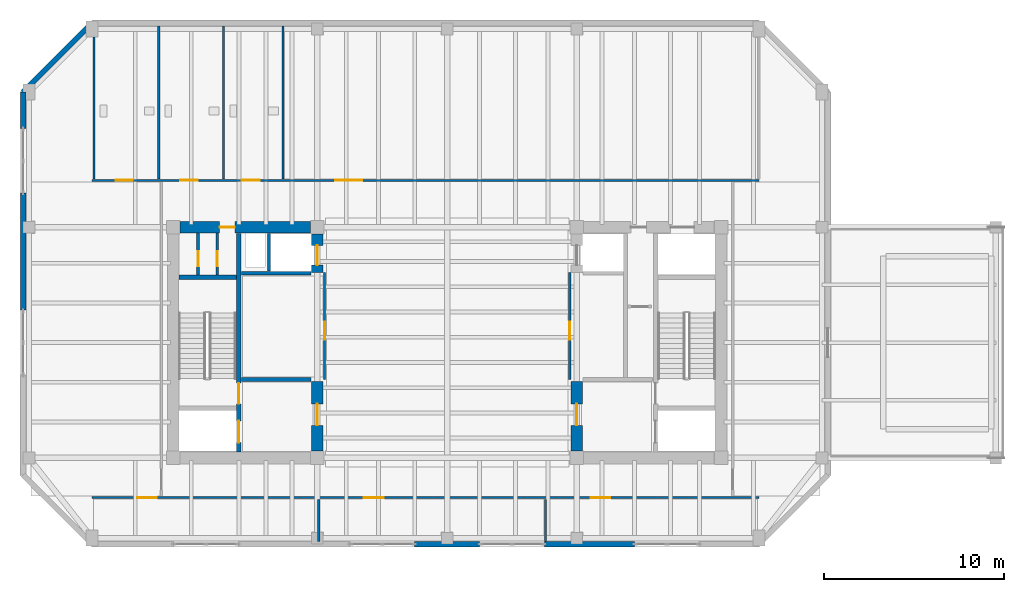
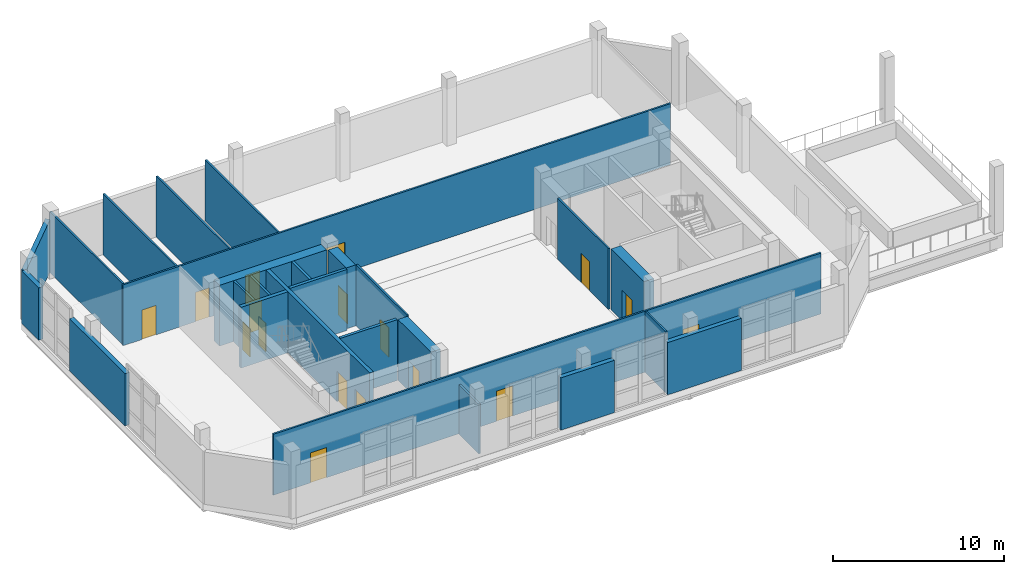
# One storey, part 6 of 11: 26 walls, 17 doors, 17 openings.
"""IFC4 building model written with IfcOpenShell, lengths in metres."""

import ifcopenshell
import ifcopenshell.guid

model = None  # the IFC model being written
_history = None  # IfcOwnerHistory: only IFC2X3 demands one
_inside = {}  # id of a spatial element -> (the spatial element, [elements in it])
_under = {}  # id of a project, library or spatial element -> (it, [spatial elements below it])
_declared = {}  # id of a project -> (the project, [libraries it declares])
_typed = {}  # id of a type object -> (the type object, [elements of that type])
_made_of = {}  # id of a material, layer set ... -> (it, [elements and type objects made of it])


def new_model(schema):
    """Start an empty IFC model of exactly this schema.

    Asked for "IFC4X3", IfcOpenShell would pick the latest addendum, in which some entities
    have other attributes; the version numbers below select the first issue.
    IFC2X3 requires an IfcOwnerHistory on every rooted entity: one is made here for all.
    """
    global model, _history
    if schema == "IFC4X3":
        model = ifcopenshell.file(schema_version=(4, 3, 0, 0))
    else:
        model = ifcopenshell.file(schema=schema)
    _inside.clear()
    _under.clear()
    _declared.clear()
    _typed.clear()
    _made_of.clear()
    _history = None
    if model.schema == "IFC2X3":
        org = make("IfcOrganization", Name="unknown")
        user = make(
            "IfcPersonAndOrganization",
            ThePerson=make("IfcPerson", FamilyName="unknown"),
            TheOrganization=org,
        )
        app = make(
            "IfcApplication",
            ApplicationDeveloper=org,
            Version="unknown",
            ApplicationFullName="unknown",
            ApplicationIdentifier="unknown",
        )
        _history = make(
            "IfcOwnerHistory",
            OwningUser=user,
            OwningApplication=app,
            ChangeAction="ADDED",
            CreationDate=0,
        )
    return model


def make(cls, **values):
    """One entity of the class cls with the attributes given. An attribute that is None is left unset."""
    return model.create_entity(
        cls, **{name: value for name, value in values.items() if value is not None}
    )


def rooted(cls, **values):
    """An entity with a GlobalId (a new one), such as an element, a storey or a relation."""
    return make(cls, GlobalId=ifcopenshell.guid.new(), OwnerHistory=_history, **values)


def si_unit(unit_type, name, prefix=None):
    """IfcSIUnit, for example si_unit("LENGTHUNIT", "METRE", prefix="MILLI")."""
    return make("IfcSIUnit", UnitType=unit_type, Prefix=prefix, Name=name)


def assignment(units):
    """IfcUnitAssignment: the units of a project."""
    return None if units is None else make("IfcUnitAssignment", Units=units)


def point(xyz):
    """IfcCartesianPoint."""
    return None if xyz is None else make("IfcCartesianPoint", Coordinates=xyz)


def direction(xyz):
    """IfcDirection."""
    return None if xyz is None else make("IfcDirection", DirectionRatios=xyz)


def frame(location, z_axis=None, x_axis=None):
    """IfcAxis2Placement3D, a coordinate frame: its origin and axes. An axis left out is left unset."""
    return make(
        "IfcAxis2Placement3D",
        Location=point(location),
        Axis=direction(z_axis),
        RefDirection=direction(x_axis),
    )


def frame_2d(location, x_axis=None):
    """IfcAxis2Placement2D, a coordinate frame in the plane: its origin and x axis."""
    return make(
        "IfcAxis2Placement2D", Location=point(location), RefDirection=direction(x_axis)
    )


def origin():
    """The frame at (0, 0, 0) with its axes left unset."""
    return frame((0.0, 0.0, 0.0))


def place(relative_to, where):
    """IfcLocalPlacement: puts the frame where relative to a parent placement (None: the world)."""
    return make(
        "IfcLocalPlacement", PlacementRelTo=relative_to, RelativePlacement=where
    )


def context(
    kind, dimensions, precision=None, world=None, true_north=None, identifier=None
):
    """IfcGeometricRepresentationContext, for example the 3D "Model" context."""
    return make(
        "IfcGeometricRepresentationContext",
        ContextIdentifier=identifier,
        ContextType=kind,
        CoordinateSpaceDimension=dimensions,
        Precision=precision,
        WorldCoordinateSystem=world,
        TrueNorth=true_north,
    )


def subcontext(parent, identifier, kind, view, scale=None):
    """IfcGeometricRepresentationSubContext, for example "Body" below "Model"."""
    return make(
        "IfcGeometricRepresentationSubContext",
        ContextIdentifier=identifier,
        ContextType=kind,
        ParentContext=parent,
        TargetScale=scale,
        TargetView=view,
    )


def project(units=None, contexts=None):
    """IfcProject with its units and contexts."""
    return rooted(
        "IfcProject",
        Name="project",
        RepresentationContexts=contexts,
        UnitsInContext=assignment(units),
    )


def spatial(cls, under=None, at=None, **own):
    """A site, building, storey or space (cls), placed at a placement, below another one or the project."""
    s = rooted(cls, ObjectPlacement=at, **own)
    if under is not None:
        _under.setdefault(under.id(), (under, []))[1].append(s)
    return s


def profile(cls, at=None, kind="AREA", **sizes):
    """A parametric profile (cls). Its sizes go by their IFC names, for example OverallWidth=200.0."""
    return make(cls, ProfileType=kind, Position=at, **sizes)


def rectangle(**sizes):
    """IfcRectangleProfileDef."""
    return profile("IfcRectangleProfileDef", **sizes)


def extrude(swept, where, along, depth):
    """IfcExtrudedAreaSolid: the profile swept, set in the frame where, extruded along a direction by depth."""
    return make(
        "IfcExtrudedAreaSolid",
        SweptArea=swept,
        Position=where,
        ExtrudedDirection=direction(along),
        Depth=depth,
    )


def shape(context_of_items, identifier, shape_type, items):
    """IfcShapeRepresentation: the items that make up one representation, for example the "Body"."""
    return make(
        "IfcShapeRepresentation",
        ContextOfItems=context_of_items,
        RepresentationIdentifier=identifier,
        RepresentationType=shape_type,
        Items=items,
    )


def material(Name=None, Category=None):
    """IfcMaterial."""
    return make("IfcMaterial", Name=Name, Category=Category)


def layer(
    of_material, thickness, ventilated=None, Name=None, Category=None, Priority=None
):
    """IfcMaterialLayer: one layer of a wall or slab, of a material (None: an air gap)."""
    return make(
        "IfcMaterialLayer",
        Material=of_material,
        LayerThickness=thickness,
        IsVentilated=ventilated,
        Name=Name,
        Category=Category,
        Priority=Priority,
    )


def layer_set(layers, Name=None):
    """IfcMaterialLayerSet."""
    return make("IfcMaterialLayerSet", MaterialLayers=layers, LayerSetName=Name)


def made_of(thing, what):
    """Note that an element or type object is made of a material, layer set ...; save() writes the relation."""
    if what is not None:
        _made_of.setdefault(what.id(), (what, []))[1].append(thing)
    return thing


def type_object(cls, material=None, **own):
    """A type object (cls), such as IfcWallType, which elements share."""
    return made_of(rooted(cls, **own), material)


def element(
    cls,
    number,
    at=None,
    inside=None,
    cuts=None,
    type_object=None,
    material=None,
    context=None,
    identifier="Body",
    shape_type=None,
    held_by="IfcProductDefinitionShape",
    body=None,
    shapes=None,
    **own,
):
    """One element of the class cls, such as IfcWall. Its Tag is "e" and its number.

    at: its placement. inside: the storey or other place that contains it. cuts: it is an
    opening in that element (IfcRelVoidsElement). A single representation is given by context,
    identifier, shape_type and body (its items); several are given by shapes. held_by: the class
    of the entity that holds the representations. save() writes the other relations.
    """
    e = rooted(cls, Tag="e%d" % number, ObjectPlacement=at, **own)
    if body is not None:
        shapes = [shape(context, identifier, shape_type, body)]
    if shapes is not None:
        e.Representation = make(held_by, Representations=shapes)
    if inside is not None:
        _inside.setdefault(inside.id(), (inside, []))[1].append(e)
    if cuts is not None:
        rooted(
            "IfcRelVoidsElement", RelatingBuildingElement=cuts, RelatedOpeningElement=e
        )
    if type_object is not None:
        _typed.setdefault(type_object.id(), (type_object, []))[1].append(e)
    return made_of(e, material)


def fill(opening, filler):
    """IfcRelFillsElement: the door or window that sits in an opening."""
    return rooted(
        "IfcRelFillsElement",
        RelatingOpeningElement=opening,
        RelatedBuildingElement=filler,
    )


def aggregate(whole, parts):
    """IfcRelAggregates: a whole, such as a stair, and the parts it consists of."""
    return rooted("IfcRelAggregates", RelatingObject=whole, RelatedObjects=parts)


def save(model, path):
    """Write the relations noted so far, then the file.

    IfcRelAggregates (storeys below a building ...), IfcRelContainedInSpatialStructure (elements
    in a storey), IfcRelDefinesByType, IfcRelAssociatesMaterial and IfcRelDeclares: one each for
    every whole, place, type object, material and project.
    """
    for whole, parts in _under.values():
        aggregate(whole, parts)
    for where, things in _inside.values():
        rooted(
            "IfcRelContainedInSpatialStructure",
            RelatedElements=things,
            RelatingStructure=where,
        )
    for kind, things in _typed.values():
        rooted("IfcRelDefinesByType", RelatedObjects=things, RelatingType=kind)
    for what, things in _made_of.values():
        rooted("IfcRelAssociatesMaterial", RelatedObjects=things, RelatingMaterial=what)
    for by, libraries in _declared.values():
        rooted("IfcRelDeclares", RelatingContext=by, RelatedDefinitions=libraries)
    model.write(path)


model = new_model("IFC4")

# Units and contexts
model_context = context("Model", 3, precision=1e-05, world=origin(), true_north=direction((0.0, 1.0)))
body_context = subcontext(model_context, "Body", "Model", "MODEL_VIEW")
ifc_project = project(units=[si_unit("LENGTHUNIT", "METRE"), si_unit("AREAUNIT", "SQUARE_METRE"), si_unit("VOLUMEUNIT", "CUBIC_METRE"), si_unit("PLANEANGLEUNIT", "RADIAN"), si_unit("MASSUNIT", "GRAM", prefix="KILO")], contexts=[model_context])

# Site, building, storey
site_placement = place(None, origin())
site = spatial("IfcSite", under=ifc_project, at=site_placement, CompositionType="ELEMENT")
building_placement = place(site_placement, origin())
building = spatial("IfcBuilding", under=site, at=building_placement, Name="Kranthara Brick Stack", CompositionType="ELEMENT")
storey_placement = place(building_placement, frame((0.0, 0.0, 287.39990234375)))
storey = spatial("IfcBuildingStorey", under=building, at=storey_placement, Name="L76", CompositionType="ELEMENT", Elevation=287.39990234375)

# Walls
ifc_material_1 = material(Name="Precast concrete C45/55", Category="concrete")
ifc_layer_1 = layer(ifc_material_1, 0.300048828125)
ifc_layer_set_1 = layer_set([ifc_layer_1], Name="Precast concrete C45/55")
wall_type_1 = type_object("IfcWallType", Name="WL-BRK-CRWN-300", PredefinedType="STANDARD", material=ifc_layer_set_1)
wall_1_placement = place(storey_placement, frame((38.387939453125, 16.02001953125, 0.0), z_axis=(0.0, 0.0, 1.0), x_axis=(-1.0, 0.0, 0.0)))
element("IfcWall", 1, at=wall_1_placement, inside=storey, type_object=wall_type_1, Name="L76 Exterior Brick Facade Wall SOUTH 2", PredefinedType="STANDARD", context=body_context, shape_type="SweptSolid", body=[
    extrude(rectangle(XDim=4.988037109375, YDim=0.300048828125, at=frame_2d((2.494140625, 0.0))), origin(), (0.0, 0.0, 1.0), 3.735107421875),
])
wall_2_placement = place(storey_placement, frame((29.800048828125, 16.02001953125, 0.0), z_axis=(0.0, 0.0, 1.0), x_axis=(-1.0, 0.0, 0.0)))
element("IfcWall", 2, at=wall_2_placement, inside=storey, type_object=wall_type_1, Name="L76 Exterior Brick Facade Wall SOUTH 3", PredefinedType="STANDARD", context=body_context, shape_type="SweptSolid", body=[
    extrude(rectangle(XDim=3.60009765625, YDim=0.300048828125, at=frame_2d((1.800048828125, 0.0))), origin(), (0.0, 0.0, 1.0), 3.735107421875),
])
wall_3_placement = place(storey_placement, frame((4.469970703125, 29.0, 0.0), z_axis=(0.0, 0.0, 1.0), x_axis=(0.0, 1.0, 0.0)))
element("IfcWall", 3, at=wall_3_placement, inside=storey, type_object=wall_type_1, Name="L76 Exterior Brick Facade Wall WEST 2", PredefinedType="STANDARD", context=body_context, shape_type="SweptSolid", body=[
    extrude(rectangle(XDim=6.487060546875, YDim=0.300048828125, at=frame_2d((3.24365234375, 0.0))), origin(), (0.0, 0.0, 1.0), 3.735107421875),
])
wall_4_placement = place(storey_placement, frame((4.469970703125, 39.087890625, 0.0), z_axis=(0.0, 0.0, 1.0), x_axis=(0.0, 1.0, 0.0)))
element("IfcWall", 4, at=wall_4_placement, inside=storey, type_object=wall_type_1, Name="L76 Exterior Brick Facade Wall WEST 3", PredefinedType="STANDARD", context=body_context, shape_type="SweptSolid", body=[
    extrude(rectangle(XDim=2.01220703125, YDim=0.300048828125, at=frame_2d((1.006103515625, 0.0))), origin(), (0.0, 0.0, 1.0), 3.735107421875),
])
wall_5_placement = place(storey_placement, frame((4.469970703125, 41.10009765625, 0.0), z_axis=(0.0, 0.0, 1.0), x_axis=(0.707129318095, 0.707084243559, 0.0)))
element("IfcWall", 5, at=wall_5_placement, inside=storey, type_object=wall_type_1, Name="L76 Exterior Brick Facade Wall NW 1", PredefinedType="STANDARD", context=body_context, shape_type="SweptSolid", body=[
    extrude(rectangle(XDim=5.416259765625, YDim=0.300048828125, at=frame_2d((2.7080078125, 0.0))), origin(), (0.0, 0.0, 1.0), 3.735107421875),
])

# Wall, openings, doors
ifc_material_2 = material(Name="Concrete C50/60", Category="concrete")
ifc_layer_2 = layer(ifc_material_2, 0.25)
ifc_layer_set_2 = layer_set([ifc_layer_2], Name="Concrete C50/60")
wall_type_2 = type_object("IfcWallType", Name="WL-CORE-250", PredefinedType="SHEAR", material=ifc_layer_set_2)
wall_6_placement = place(storey_placement, frame((16.43505859375, 21.135009765625, 0.0), z_axis=(0.0, 0.0, 1.0), x_axis=(0.0, 1.0, 0.0)))
wall_6 = element("IfcWall", 6, at=wall_6_placement, inside=storey, type_object=wall_type_2, Name="L76 West Core Stair Bearing Spine Wall", PredefinedType="SHEAR", context=body_context, shape_type="SweptSolid", body=[
    extrude(rectangle(XDim=12.1298828125, YDim=0.25, at=frame_2d((6.06494140625, 0.0))), origin(), (0.0, 0.0, 1.0), 4.35009765625),
])
opening_1_placement = place(wall_6_placement, frame((0.514892578125, 0.0, 0.0)))
opening_1 = element("IfcOpeningElement", 7, at=opening_1_placement, cuts=wall_6, Name="Opening LD01", PredefinedType="OPENING", context=body_context, shape_type="SweptSolid", body=[
    extrude(rectangle(XDim=1.199951171875, YDim=2.14990234375, at=frame_2d((0.60009765625, 1.074951171875))), frame((0.0, 0.135009765625, 0.0), z_axis=(0.0, -1.0, 0.0), x_axis=(1.0, 0.0, 0.0)), (0.0, 0.0, 1.0), 0.27001953125),
])
opening_2_placement = place(wall_6_placement, frame((2.6650390625, 0.0, 0.0)))
opening_2 = element("IfcOpeningElement", 8, at=opening_2_placement, cuts=wall_6, Name="Opening D05", PredefinedType="OPENING", context=body_context, shape_type="SweptSolid", body=[
    extrude(rectangle(XDim=1.14990234375, YDim=2.14990234375, at=frame_2d((0.574951171875, 1.074951171875))), frame((0.0, 0.135009765625, 0.0), z_axis=(0.0, -1.0, 0.0), x_axis=(1.0, 0.0, 0.0)), (0.0, 0.0, 1.0), 0.27001953125),
])
ifc_material_3 = material(Name="Stainless steel sliding landing door", Category="steel")
door_type_1 = type_object("IfcDoorType", Name="DR-LD-FF1200", OperationType="DOUBLE_DOOR_SLIDING", PredefinedType="DOOR", material=ifc_material_3)
door_1_placement = place(opening_1_placement, origin())
door_1 = element("IfcDoor", 9, at=door_1_placement, inside=storey, type_object=door_type_1, Name="L76 Firefighting Lift FF-01 Landing Door", OperationType="DOUBLE_DOOR_SLIDING", OverallHeight=2.14990234375, OverallWidth=1.199951171875, PredefinedType="DOOR", context=body_context, shape_type="SweptSolid", body=[
    extrude(rectangle(XDim=1.199951171875, YDim=2.14990234375, at=frame_2d((0.60009765625, 1.074951171875))), frame((0.0, 0.02490234375, 0.0), z_axis=(0.0, -1.0, 0.0), x_axis=(1.0, 0.0, 0.0)), (0.0, 0.0, 1.0), 0.050048828125),
])
fill(opening_1, door_1)
ifc_material_4 = material(Name="Solid-core hardwood timber leaf in steel frame", Category="steel")
door_type_2 = type_object("IfcDoorType", Name="DR-ST-1150", OperationType="NOTDEFINED", PredefinedType="DOOR", material=ifc_material_4)
door_2_placement = place(opening_2_placement, origin())
door_2 = element("IfcDoor", 10, at=door_2_placement, inside=storey, type_object=door_type_2, Name="L76 Exit Stair ST01 Door", OperationType="SINGLE_SWING_RIGHT", OverallHeight=2.14990234375, OverallWidth=1.14990234375, PredefinedType="DOOR", context=body_context, shape_type="SweptSolid", body=[
    extrude(rectangle(XDim=1.14990234375, YDim=2.14990234375, at=frame_2d((0.574951171875, 1.074951171875))), frame((0.0, 0.02490234375, 0.0), z_axis=(0.0, -1.0, 0.0), x_axis=(1.0, 0.0, 0.0)), (0.0, 0.0, 1.0), 0.050048828125),
])
fill(opening_2, door_2)

# Wall
wall_7_placement = place(storey_placement, frame((13.135009765625, 30.830078125, 0.0), z_axis=(0.0, 0.0, 1.0), x_axis=(1.0, 0.0, 0.0)))
element("IfcWall", 11, at=wall_7_placement, inside=storey, type_object=wall_type_2, Name="L76 West Stairwell Bearing Wall WST", PredefinedType="SHEAR", context=body_context, shape_type="SweptSolid", body=[
    extrude(rectangle(XDim=3.175048828125, YDim=0.25, at=frame_2d((1.58740234375, 0.0))), origin(), (0.0, 0.0, 1.0), 4.35009765625),
])

# Wall, opening, door
ifc_material_5 = material(Name="Concrete C60/75", Category="concrete")
ifc_layer_3 = layer(ifc_material_5, 0.64990234375)
ifc_layer_set_3 = layer_set([ifc_layer_3], Name="Concrete C60/75")
wall_type_3 = type_object("IfcWallType", Name="WL-CORE-650", PredefinedType="SHEAR", material=ifc_layer_set_3)
wall_8_placement = place(storey_placement, frame((13.179931640625, 33.60009765625, 0.0), z_axis=(0.0, 0.0, 1.0), x_axis=(1.0, 0.0, 0.0)))
wall_8 = element("IfcWall", 12, at=wall_8_placement, inside=storey, type_object=wall_type_3, Name="L76 West Core Shear Wall North", PredefinedType="SHEAR", context=body_context, shape_type="SweptSolid", body=[
    extrude(rectangle(XDim=7.239990234375, YDim=0.64990234375, at=frame_2d((3.6201171875, 0.0))), origin(), (0.0, 0.0, 1.0), 4.35009765625),
])
opening_3_placement = place(wall_8_placement, frame((2.18994140625, 0.0, 0.0)))
opening_3 = element("IfcOpeningElement", 13, at=opening_3_placement, cuts=wall_8, Name="Opening D10", PredefinedType="OPENING", context=body_context, shape_type="SweptSolid", body=[
    extrude(rectangle(XDim=0.85009765625, YDim=2.02001953125, at=frame_2d((0.425048828125, 1.010009765625))), frame((0.0, 0.3349609375, 0.0), z_axis=(0.0, -1.0, 0.0), x_axis=(1.0, 0.0, 0.0)), (0.0, 0.0, 1.0), 0.669921875),
])
ifc_material_6 = material(Name="Solid-core hardwood timber leaf in steel frame", Category="steel")
door_type_3 = type_object("IfcDoorType", Name="DR-RSR-850", OperationType="NOTDEFINED", PredefinedType="DOOR", material=ifc_material_6)
door_3_placement = place(opening_3_placement, origin())
door_3 = element("IfcDoor", 14, at=door_3_placement, inside=storey, type_object=door_type_3, Name="L76 West Core Service Door 1", OperationType="SINGLE_SWING_RIGHT", OverallHeight=2.02001953125, OverallWidth=0.85009765625, PredefinedType="DOOR", context=body_context, shape_type="SweptSolid", body=[
    extrude(rectangle(XDim=0.85009765625, YDim=2.02001953125, at=frame_2d((0.425048828125, 1.010009765625))), frame((0.0, 0.02490234375, 0.0), z_axis=(0.0, -1.0, 0.0), x_axis=(1.0, 0.0, 0.0)), (0.0, 0.0, 1.0), 0.050048828125),
])
fill(opening_3, door_3)

wall_9_placement = place(storey_placement, frame((20.800048828125, 21.179931640625, 0.0), z_axis=(0.0, 0.0, 1.0), x_axis=(0.0, 1.0, 0.0)))
wall_9 = element("IfcWall", 15, at=wall_9_placement, inside=storey, type_object=wall_type_3, Name="L76 West Core Lobby Shear Wall", PredefinedType="SHEAR", context=body_context, shape_type="SweptSolid", body=[
    extrude(rectangle(XDim=3.8701171875, YDim=0.64990234375, at=frame_2d((1.93505859375, 0.0))), origin(), (0.0, 0.0, 1.0), 4.35009765625),
])
opening_4_placement = place(wall_9_placement, frame((1.419921875, 0.0, 0.0)))
opening_4 = element("IfcOpeningElement", 16, at=opening_4_placement, cuts=wall_9, Name="Opening D06", PredefinedType="OPENING", context=body_context, shape_type="SweptSolid", body=[
    extrude(rectangle(XDim=1.199951171875, YDim=2.14990234375, at=frame_2d((0.60009765625, 1.074951171875))), frame((0.0, 0.3349609375, 0.0), z_axis=(0.0, -1.0, 0.0), x_axis=(1.0, 0.0, 0.0)), (0.0, 0.0, 1.0), 0.669921875),
])
ifc_material_7 = material(Name="Solid-core hardwood timber leaf in steel frame", Category="steel")
door_type_4 = type_object("IfcDoorType", Name="DR-FFL-1200", OperationType="NOTDEFINED", PredefinedType="DOOR", material=ifc_material_7)
door_4_placement = place(opening_4_placement, origin())
door_4 = element("IfcDoor", 17, at=door_4_placement, inside=storey, type_object=door_type_4, Name="L76 West Firefighting Lobby Door", OperationType="SINGLE_SWING_LEFT", OverallHeight=2.14990234375, OverallWidth=1.199951171875, PredefinedType="DOOR", context=body_context, shape_type="SweptSolid", body=[
    extrude(rectangle(XDim=1.199951171875, YDim=2.14990234375, at=frame_2d((0.60009765625, 1.074951171875))), frame((0.0, 0.02490234375, 0.0), z_axis=(0.0, -1.0, 0.0), x_axis=(1.0, 0.0, 0.0)), (0.0, 0.0, 1.0), 0.050048828125),
])
fill(opening_4, door_4)

wall_10_placement = place(storey_placement, frame((20.800048828125, 31.10009765625, 0.0), z_axis=(0.0, 0.0, 1.0), x_axis=(0.0, 1.0, 0.0)))
wall_10 = element("IfcWall", 18, at=wall_10_placement, inside=storey, type_object=wall_type_3, Name="L76 West Core High-Rise Lift Wall", PredefinedType="SHEAR", context=body_context, shape_type="SweptSolid", body=[
    extrude(rectangle(XDim=2.119873046875, YDim=0.64990234375, at=frame_2d((1.06005859375, 0.0))), origin(), (0.0, 0.0, 1.0), 4.35009765625),
])
opening_5_placement = place(wall_10_placement, frame((0.39990234375, 0.0, 0.0)))
opening_5 = element("IfcOpeningElement", 19, at=opening_5_placement, cuts=wall_10, Name="Opening LD02", PredefinedType="OPENING", context=body_context, shape_type="SweptSolid", body=[
    extrude(rectangle(XDim=1.10009765625, YDim=2.10009765625, at=frame_2d((0.550048828125, 1.050048828125))), frame((0.0, 0.3349609375, 0.0), z_axis=(0.0, -1.0, 0.0), x_axis=(1.0, 0.0, 0.0)), (0.0, 0.0, 1.0), 0.669921875),
])
ifc_material_8 = material(Name="Stainless steel sliding landing door", Category="steel")
door_type_5 = type_object("IfcDoorType", Name="DR-LD-PL1100", OperationType="DOUBLE_DOOR_SLIDING", PredefinedType="DOOR", material=ifc_material_8)
door_5_placement = place(opening_5_placement, origin())
door_5 = element("IfcDoor", 20, at=door_5_placement, inside=storey, type_object=door_type_5, Name="L76 PL-07 Lift Landing Door", OperationType="DOUBLE_DOOR_SLIDING", OverallHeight=2.10009765625, OverallWidth=1.10009765625, PredefinedType="DOOR", context=body_context, shape_type="SweptSolid", body=[
    extrude(rectangle(XDim=1.10009765625, YDim=2.10009765625, at=frame_2d((0.550048828125, 1.050048828125))), frame((0.0, 0.02490234375, 0.0), z_axis=(0.0, -1.0, 0.0), x_axis=(1.0, 0.0, 0.0)), (0.0, 0.0, 1.0), 0.050048828125),
])
fill(opening_5, door_5)

wall_11_placement = place(storey_placement, frame((35.199951171875, 21.179931640625, 0.0), z_axis=(0.0, 0.0, 1.0), x_axis=(0.0, 1.0, 0.0)))
wall_11 = element("IfcWall", 21, at=wall_11_placement, inside=storey, type_object=wall_type_3, Name="L76 East Core Lobby Shear Wall", PredefinedType="SHEAR", context=body_context, shape_type="SweptSolid", body=[
    extrude(rectangle(XDim=3.8701171875, YDim=0.64990234375, at=frame_2d((1.93505859375, 0.0))), origin(), (0.0, 0.0, 1.0), 4.35009765625),
])
opening_6_placement = place(wall_11_placement, frame((1.419921875, 0.0, 0.0)))
opening_6 = element("IfcOpeningElement", 22, at=opening_6_placement, cuts=wall_11, Name="Opening D06", PredefinedType="OPENING", context=body_context, shape_type="SweptSolid", body=[
    extrude(rectangle(XDim=1.199951171875, YDim=2.14990234375, at=frame_2d((0.60009765625, 1.074951171875))), frame((0.0, 0.3349609375, 0.0), z_axis=(0.0, -1.0, 0.0), x_axis=(1.0, 0.0, 0.0)), (0.0, 0.0, 1.0), 0.669921875),
])
door_6_placement = place(opening_6_placement, origin())
door_6 = element("IfcDoor", 23, at=door_6_placement, inside=storey, type_object=door_type_4, Name="L76 East Firefighting Lobby Door", OperationType="SINGLE_SWING_RIGHT", OverallHeight=2.14990234375, OverallWidth=1.199951171875, PredefinedType="DOOR", context=body_context, shape_type="SweptSolid", body=[
    extrude(rectangle(XDim=1.199951171875, YDim=2.14990234375, at=frame_2d((0.60009765625, 1.074951171875))), frame((0.0, 0.02490234375, 0.0), z_axis=(0.0, -1.0, 0.0), x_axis=(1.0, 0.0, 0.0)), (0.0, 0.0, 1.0), 0.050048828125),
])
fill(opening_6, door_6)

ifc_material_9 = material(Name="Acoustic gypsum plasterboard partition", Category="other")
ifc_layer_4 = layer(ifc_material_9, 0.1201171875)
ifc_layer_set_4 = layer_set([ifc_layer_4], Name="Acoustic gypsum plasterboard partition")
wall_type_4 = type_object("IfcWallType", Name="WL-PART-120", PredefinedType="PARTITIONING", material=ifc_layer_set_4)
wall_12_placement = place(storey_placement, frame((21.199951171875, 25.14990234375, 0.0), z_axis=(0.0, 0.0, 1.0), x_axis=(0.0, 1.0, 0.0)))
wall_12 = element("IfcWall", 24, at=wall_12_placement, inside=storey, type_object=wall_type_4, Name="L76 Interior Partition 004", PredefinedType="PARTITIONING", context=body_context, shape_type="SweptSolid", body=[
    extrude(rectangle(XDim=5.9501953125, YDim=0.1201171875, at=frame_2d((2.97509765625, 0.0))), origin(), (0.0, 0.0, 1.0), 4.35009765625),
])
opening_7_placement = place(wall_12_placement, frame((2.199951171875, 0.0, 0.0)))
opening_7 = element("IfcOpeningElement", 25, at=opening_7_placement, cuts=wall_12, Name="Opening D13", PredefinedType="OPENING", context=body_context, shape_type="SweptSolid", body=[
    extrude(rectangle(XDim=1.0, YDim=2.10009765625, at=frame_2d((0.5, 1.050048828125))), frame((0.0, 0.070068359375, 0.0), z_axis=(0.0, -1.0, 0.0), x_axis=(1.0, 0.0, 0.0)), (0.0, 0.0, 1.0), 0.14013671875),
])
ifc_material_10 = material(Name="Solid-core hardwood timber leaf in steel frame", Category="steel")
door_type_6 = type_object("IfcDoorType", Name="DR-INT-1000", OperationType="NOTDEFINED", PredefinedType="DOOR", material=ifc_material_10)
door_7_placement = place(opening_7_placement, origin())
door_7 = element("IfcDoor", 26, at=door_7_placement, inside=storey, type_object=door_type_6, Name="L76 Wellness Spa Door 04", OperationType="SINGLE_SWING_RIGHT", OverallHeight=2.10009765625, OverallWidth=1.0, PredefinedType="DOOR", context=body_context, shape_type="SweptSolid", body=[
    extrude(rectangle(XDim=1.0, YDim=2.10009765625, at=frame_2d((0.5, 1.050048828125))), frame((0.0, 0.02490234375, 0.0), z_axis=(0.0, -1.0, 0.0), x_axis=(1.0, 0.0, 0.0)), (0.0, 0.0, 1.0), 0.050048828125),
])
fill(opening_7, door_7)

wall_13_placement = place(storey_placement, frame((34.800048828125, 25.14990234375, 0.0), z_axis=(0.0, 0.0, 1.0), x_axis=(0.0, 1.0, 0.0)))
wall_13 = element("IfcWall", 27, at=wall_13_placement, inside=storey, type_object=wall_type_4, Name="L76 Interior Partition 005", PredefinedType="PARTITIONING", context=body_context, shape_type="SweptSolid", body=[
    extrude(rectangle(XDim=5.9501953125, YDim=0.1201171875, at=frame_2d((2.97509765625, 0.0))), origin(), (0.0, 0.0, 1.0), 4.35009765625),
])
opening_8_placement = place(wall_13_placement, frame((2.199951171875, 0.0, 0.0)))
opening_8 = element("IfcOpeningElement", 28, at=opening_8_placement, cuts=wall_13, Name="Opening D13", PredefinedType="OPENING", context=body_context, shape_type="SweptSolid", body=[
    extrude(rectangle(XDim=1.0, YDim=2.10009765625, at=frame_2d((0.5, 1.050048828125))), frame((0.0, 0.070068359375, 0.0), z_axis=(0.0, -1.0, 0.0), x_axis=(1.0, 0.0, 0.0)), (0.0, 0.0, 1.0), 0.14013671875),
])
door_8_placement = place(opening_8_placement, origin())
door_8 = element("IfcDoor", 29, at=door_8_placement, inside=storey, type_object=door_type_6, Name="L76 Changing Lounge Door 05", OperationType="SINGLE_SWING_LEFT", OverallHeight=2.10009765625, OverallWidth=1.0, PredefinedType="DOOR", context=body_context, shape_type="SweptSolid", body=[
    extrude(rectangle(XDim=1.0, YDim=2.10009765625, at=frame_2d((0.5, 1.050048828125))), frame((0.0, 0.02490234375, 0.0), z_axis=(0.0, -1.0, 0.0), x_axis=(1.0, 0.0, 0.0)), (0.0, 0.0, 1.0), 0.050048828125),
])
fill(opening_8, door_8)

# Wall, openings, doors
wall_14_placement = place(storey_placement, frame((8.300048828125, 18.60009765625, 0.0), z_axis=(0.0, 0.0, 1.0), x_axis=(1.0, 0.0, 0.0)))
wall_14 = element("IfcWall", 30, at=wall_14_placement, inside=storey, type_object=wall_type_4, Name="L76 Interior Partition 006", PredefinedType="PARTITIONING", context=body_context, shape_type="SweptSolid", body=[
    extrude(rectangle(XDim=37.0, YDim=0.1201171875, at=frame_2d((18.5, 0.0))), origin(), (0.0, 0.0, 1.0), 4.35009765625),
])
opening_9_placement = place(wall_14_placement, frame((2.5, 0.0, 0.0)))
opening_9 = element("IfcOpeningElement", 31, at=opening_9_placement, cuts=wall_14, Name="Opening D11", PredefinedType="OPENING", context=body_context, shape_type="SweptSolid", body=[
    extrude(rectangle(XDim=1.10009765625, YDim=2.14990234375, at=frame_2d((0.550048828125, 1.074951171875))), frame((0.0, 0.070068359375, 0.0), z_axis=(0.0, -1.0, 0.0), x_axis=(1.0, 0.0, 0.0)), (0.0, 0.0, 1.0), 0.14013671875),
])
opening_10_placement = place(wall_14_placement, frame((15.080078125, 0.0, 0.0)))
opening_10 = element("IfcOpeningElement", 32, at=opening_10_placement, cuts=wall_14, Name="Opening D11", PredefinedType="OPENING", context=body_context, shape_type="SweptSolid", body=[
    extrude(rectangle(XDim=1.10009765625, YDim=2.14990234375, at=frame_2d((0.550048828125, 1.074951171875))), frame((0.0, 0.070068359375, 0.0), z_axis=(0.0, -1.0, 0.0), x_axis=(1.0, 0.0, 0.0)), (0.0, 0.0, 1.0), 0.14013671875),
])
opening_11_placement = place(wall_14_placement, frame((27.659912109375, 0.0, 0.0)))
opening_11 = element("IfcOpeningElement", 33, at=opening_11_placement, cuts=wall_14, Name="Opening D11", PredefinedType="OPENING", context=body_context, shape_type="SweptSolid", body=[
    extrude(rectangle(XDim=1.10009765625, YDim=2.14990234375, at=frame_2d((0.550048828125, 1.074951171875))), frame((0.0, 0.070068359375, 0.0), z_axis=(0.0, -1.0, 0.0), x_axis=(1.0, 0.0, 0.0)), (0.0, 0.0, 1.0), 0.14013671875),
])
ifc_material_11 = material(Name="Solid-core hardwood timber leaf in steel frame", Category="steel")
door_type_7 = type_object("IfcDoorType", Name="DR-INT-1100", OperationType="NOTDEFINED", PredefinedType="DOOR", material=ifc_material_11)
door_9_placement = place(opening_9_placement, origin())
door_9 = element("IfcDoor", 34, at=door_9_placement, inside=storey, type_object=door_type_7, Name="L76 Sky Pool Salon 06", OperationType="SINGLE_SWING_RIGHT", OverallHeight=2.14990234375, OverallWidth=1.10009765625, PredefinedType="DOOR", context=body_context, shape_type="SweptSolid", body=[
    extrude(rectangle(XDim=1.10009765625, YDim=2.14990234375, at=frame_2d((0.550048828125, 1.074951171875))), frame((0.0, 0.02490234375, 0.0), z_axis=(0.0, -1.0, 0.0), x_axis=(1.0, 0.0, 0.0)), (0.0, 0.0, 1.0), 0.050048828125),
])
fill(opening_9, door_9)
door_10_placement = place(opening_10_placement, origin())
door_10 = element("IfcDoor", 35, at=door_10_placement, inside=storey, type_object=door_type_7, Name="L76 Sky Pool Salon 07", OperationType="SINGLE_SWING_LEFT", OverallHeight=2.14990234375, OverallWidth=1.10009765625, PredefinedType="DOOR", context=body_context, shape_type="SweptSolid", body=[
    extrude(rectangle(XDim=1.10009765625, YDim=2.14990234375, at=frame_2d((0.550048828125, 1.074951171875))), frame((0.0, 0.02490234375, 0.0), z_axis=(0.0, -1.0, 0.0), x_axis=(1.0, 0.0, 0.0)), (0.0, 0.0, 1.0), 0.050048828125),
])
fill(opening_10, door_10)
door_11_placement = place(opening_11_placement, origin())
door_11 = element("IfcDoor", 36, at=door_11_placement, inside=storey, type_object=door_type_7, Name="L76 Sky Pool Salon 08", OperationType="SINGLE_SWING_RIGHT", OverallHeight=2.14990234375, OverallWidth=1.10009765625, PredefinedType="DOOR", context=body_context, shape_type="SweptSolid", body=[
    extrude(rectangle(XDim=1.10009765625, YDim=2.14990234375, at=frame_2d((0.550048828125, 1.074951171875))), frame((0.0, 0.02490234375, 0.0), z_axis=(0.0, -1.0, 0.0), x_axis=(1.0, 0.0, 0.0)), (0.0, 0.0, 1.0), 0.050048828125),
])
fill(opening_11, door_11)

wall_15_placement = place(storey_placement, frame((8.300048828125, 36.199951171875, 0.0), z_axis=(0.0, 0.0, 1.0), x_axis=(1.0, 0.0, 0.0)))
wall_15 = element("IfcWall", 37, at=wall_15_placement, inside=storey, type_object=wall_type_4, Name="L76 Interior Partition 007", PredefinedType="PARTITIONING", context=body_context, shape_type="SweptSolid", body=[
    extrude(rectangle(XDim=37.0, YDim=0.1201171875, at=frame_2d((18.5, 0.0))), origin(), (0.0, 0.0, 1.0), 4.35009765625),
])
opening_12_placement = place(wall_15_placement, frame((1.300048828125, 0.0, 0.0)))
opening_12 = element("IfcOpeningElement", 38, at=opening_12_placement, cuts=wall_15, Name="Opening D14", PredefinedType="OPENING", context=body_context, shape_type="SweptSolid", body=[
    extrude(rectangle(XDim=0.949951171875, YDim=2.10009765625, at=frame_2d((0.47509765625, 1.050048828125))), frame((0.0, 0.070068359375, 0.0), z_axis=(0.0, -1.0, 0.0), x_axis=(1.0, 0.0, 0.0)), (0.0, 0.0, 1.0), 0.14013671875),
])
opening_13_placement = place(wall_15_placement, frame((4.89990234375, 0.0, 0.0)))
opening_13 = element("IfcOpeningElement", 39, at=opening_13_placement, cuts=wall_15, Name="Opening D14", PredefinedType="OPENING", context=body_context, shape_type="SweptSolid", body=[
    extrude(rectangle(XDim=0.949951171875, YDim=2.10009765625, at=frame_2d((0.47509765625, 1.050048828125))), frame((0.0, 0.070068359375, 0.0), z_axis=(0.0, -1.0, 0.0), x_axis=(1.0, 0.0, 0.0)), (0.0, 0.0, 1.0), 0.14013671875),
])
opening_14_placement = place(wall_15_placement, frame((8.300048828125, 0.0, 0.0)))
opening_14 = element("IfcOpeningElement", 40, at=opening_14_placement, cuts=wall_15, Name="Opening D18", PredefinedType="OPENING", context=body_context, shape_type="SweptSolid", body=[
    extrude(rectangle(XDim=1.0, YDim=2.10009765625, at=frame_2d((0.5, 1.050048828125))), frame((0.0, 0.070068359375, 0.0), z_axis=(0.0, -1.0, 0.0), x_axis=(1.0, 0.0, 0.0)), (0.0, 0.0, 1.0), 0.14013671875),
])
opening_15_placement = place(wall_15_placement, frame((13.5, 0.0, 0.0)))
opening_15 = element("IfcOpeningElement", 41, at=opening_15_placement, cuts=wall_15, Name="Opening D20", PredefinedType="OPENING", context=body_context, shape_type="SweptSolid", body=[
    extrude(rectangle(XDim=1.5, YDim=2.14990234375, at=frame_2d((0.75, 1.074951171875))), frame((0.0, 0.070068359375, 0.0), z_axis=(0.0, -1.0, 0.0), x_axis=(1.0, 0.0, 0.0)), (0.0, 0.0, 1.0), 0.14013671875),
])
ifc_material_12 = material(Name="Solid-core hardwood timber leaf in steel frame", Category="steel")
door_type_8 = type_object("IfcDoorType", Name="DR-ACC-1000", OperationType="NOTDEFINED", PredefinedType="DOOR", material=ifc_material_12)
door_12_placement = place(opening_14_placement, origin())
door_12 = element("IfcDoor", 42, at=door_12_placement, inside=storey, type_object=door_type_8, Name="L76 Accessible WC 11", OperationType="SINGLE_SWING_LEFT", OverallHeight=2.10009765625, OverallWidth=1.0, PredefinedType="DOOR", context=body_context, shape_type="SweptSolid", body=[
    extrude(rectangle(XDim=1.0, YDim=2.10009765625, at=frame_2d((0.5, 1.050048828125))), frame((0.0, 0.02490234375, 0.0), z_axis=(0.0, -1.0, 0.0), x_axis=(1.0, 0.0, 0.0)), (0.0, 0.0, 1.0), 0.050048828125),
])
fill(opening_14, door_12)
ifc_material_13 = material(Name="Solid-core hardwood timber leaf in steel frame", Category="steel")
door_type_9 = type_object("IfcDoorType", Name="DR-DBL-1500", OperationType="DOUBLE_DOOR_SINGLE_SWING", PredefinedType="DOOR", material=ifc_material_13)
door_13_placement = place(opening_15_placement, origin())
door_13 = element("IfcDoor", 43, at=door_13_placement, inside=storey, type_object=door_type_9, Name="L76 Fitness Club Door 12", OperationType="DOUBLE_DOOR_SINGLE_SWING", OverallHeight=2.14990234375, OverallWidth=1.5, PredefinedType="DOOR", context=body_context, shape_type="SweptSolid", body=[
    extrude(rectangle(XDim=1.5, YDim=2.14990234375, at=frame_2d((0.75, 1.074951171875))), frame((0.0, 0.02490234375, 0.0), z_axis=(0.0, -1.0, 0.0), x_axis=(1.0, 0.0, 0.0)), (0.0, 0.0, 1.0), 0.050048828125),
])
fill(opening_15, door_13)
ifc_material_14 = material(Name="Solid-core hardwood timber leaf in steel frame", Category="steel")
door_type_10 = type_object("IfcDoorType", Name="DR-INT-950", OperationType="NOTDEFINED", PredefinedType="DOOR", material=ifc_material_14)
door_14_placement = place(opening_12_placement, origin())
door_14 = element("IfcDoor", 44, at=door_14_placement, inside=storey, type_object=door_type_10, Name="L76 Male WC 09", OperationType="SINGLE_SWING_LEFT", OverallHeight=2.10009765625, OverallWidth=0.949951171875, PredefinedType="DOOR", context=body_context, shape_type="SweptSolid", body=[
    extrude(rectangle(XDim=0.949951171875, YDim=2.10009765625, at=frame_2d((0.47509765625, 1.050048828125))), frame((0.0, 0.02490234375, 0.0), z_axis=(0.0, -1.0, 0.0), x_axis=(1.0, 0.0, 0.0)), (0.0, 0.0, 1.0), 0.050048828125),
])
fill(opening_12, door_14)
door_15_placement = place(opening_13_placement, origin())
door_15 = element("IfcDoor", 45, at=door_15_placement, inside=storey, type_object=door_type_10, Name="L76 Female WC 10", OperationType="SINGLE_SWING_RIGHT", OverallHeight=2.10009765625, OverallWidth=0.949951171875, PredefinedType="DOOR", context=body_context, shape_type="SweptSolid", body=[
    extrude(rectangle(XDim=0.949951171875, YDim=2.10009765625, at=frame_2d((0.47509765625, 1.050048828125))), frame((0.0, 0.02490234375, 0.0), z_axis=(0.0, -1.0, 0.0), x_axis=(1.0, 0.0, 0.0)), (0.0, 0.0, 1.0), 0.050048828125),
])
fill(opening_13, door_15)

# Walls
wall_16_placement = place(storey_placement, frame((20.8798828125, 16.175048828125, 0.0), z_axis=(0.0, 0.0, 1.0), x_axis=(0.0, 1.0, 0.0)))
element("IfcWall", 46, at=wall_16_placement, inside=storey, type_object=wall_type_4, Name="L76 Interior Partition 008", PredefinedType="PARTITIONING", context=body_context, shape_type="SweptSolid", body=[
    extrude(rectangle(XDim=2.324951171875, YDim=0.1201171875, at=frame_2d((1.16259765625, 0.0))), origin(), (0.0, 0.0, 1.0), 3.53515625),
])
wall_17_placement = place(storey_placement, frame((33.4599609375, 16.175048828125, 0.0), z_axis=(0.0, 0.0, 1.0), x_axis=(0.0, 1.0, 0.0)))
element("IfcWall", 47, at=wall_17_placement, inside=storey, type_object=wall_type_4, Name="L76 Interior Partition 009", PredefinedType="PARTITIONING", context=body_context, shape_type="SweptSolid", body=[
    extrude(rectangle(XDim=2.324951171875, YDim=0.1201171875, at=frame_2d((1.16259765625, 0.0))), origin(), (0.0, 0.0, 1.0), 4.35009765625),
])
for number, where, z_axis, x_axis, name in (
    (48, (8.39990234375, 36.264892578125, 0.0), (0.0, 0.0, 1.0), (0.0, 1.0, 0.0), "L76 Interior Partition 010"),
    (49, (12.0, 36.264892578125, 0.0), (0.0, 0.0, 1.0), (0.0, 1.0, 0.0), "L76 Interior Partition 011"),
    (50, (15.60009765625, 36.264892578125, 0.0), (0.0, 0.0, 1.0), (0.0, 1.0, 0.0), "L76 Interior Partition 012"),
    (51, (18.89990234375, 36.264892578125, 0.0), (0.0, 0.0, 1.0), (0.0, 1.0, 0.0), "L76 Interior Partition 013"),
):
    element("IfcWall", number, at=place(storey_placement, frame(where, z_axis=z_axis, x_axis=x_axis)), inside=storey, type_object=wall_type_4, Name=name, PredefinedType="PARTITIONING", context=body_context, shape_type="SweptSolid", body=[
        extrude(rectangle(XDim=8.510009765625, YDim=0.1201171875, at=frame_2d((4.2548828125, 0.0))), origin(), (0.0, 0.0, 1.0), 4.35009765625),
    ])

# Wall, opening, door
ifc_material_15 = material(Name="Fire-rated gypsum board partition", Category="other")
ifc_layer_5 = layer(ifc_material_15, 0.14990234375)
ifc_layer_set_5 = layer_set([ifc_layer_5], Name="Fire-rated gypsum board partition")
wall_type_5 = type_object("IfcWallType", Name="WL-PART-150", PredefinedType="PARTITIONING", material=ifc_layer_set_5)
wall_18_placement = place(storey_placement, frame((14.179931640625, 30.9599609375, 0.0), z_axis=(0.0, 0.0, 1.0), x_axis=(0.0, 1.0, 0.0)))
wall_18 = element("IfcWall", 52, at=wall_18_placement, inside=storey, type_object=wall_type_5, Name="L76 Interior Partition 001", PredefinedType="PARTITIONING", context=body_context, shape_type="SweptSolid", body=[
    extrude(rectangle(XDim=2.31005859375, YDim=0.14990234375, at=frame_2d((1.155029296875, 0.0))), origin(), (0.0, 0.0, 1.0), 4.35009765625),
])
opening_16_placement = place(wall_18_placement, frame((0.469970703125, 0.0, 0.0)))
opening_16 = element("IfcOpeningElement", 53, at=opening_16_placement, cuts=wall_18, Name="Opening D10", PredefinedType="OPENING", context=body_context, shape_type="SweptSolid", body=[
    extrude(rectangle(XDim=0.85009765625, YDim=2.02001953125, at=frame_2d((0.425048828125, 1.010009765625))), frame((0.0, 0.0849609375, 0.0), z_axis=(0.0, -1.0, 0.0), x_axis=(1.0, 0.0, 0.0)), (0.0, 0.0, 1.0), 0.169921875),
])
door_16_placement = place(opening_16_placement, origin())
door_16 = element("IfcDoor", 54, at=door_16_placement, inside=storey, type_object=door_type_3, Name="L76 Riser Door A 01", OperationType="SINGLE_SWING_LEFT", OverallHeight=2.02001953125, OverallWidth=0.85009765625, PredefinedType="DOOR", context=body_context, shape_type="SweptSolid", body=[
    extrude(rectangle(XDim=0.85009765625, YDim=2.02001953125, at=frame_2d((0.425048828125, 1.010009765625))), frame((0.0, 0.02490234375, 0.0), z_axis=(0.0, -1.0, 0.0), x_axis=(1.0, 0.0, 0.0)), (0.0, 0.0, 1.0), 0.050048828125),
])
fill(opening_16, door_16)

wall_19_placement = place(storey_placement, frame((15.25, 30.9599609375, 0.0), z_axis=(0.0, 0.0, 1.0), x_axis=(0.0, 1.0, 0.0)))
wall_19 = element("IfcWall", 55, at=wall_19_placement, inside=storey, type_object=wall_type_5, Name="L76 Interior Partition 002", PredefinedType="PARTITIONING", context=body_context, shape_type="SweptSolid", body=[
    extrude(rectangle(XDim=2.31005859375, YDim=0.14990234375, at=frame_2d((1.155029296875, 0.0))), origin(), (0.0, 0.0, 1.0), 4.35009765625),
])
opening_17_placement = place(wall_19_placement, frame((0.469970703125, 0.0, 0.0)))
opening_17 = element("IfcOpeningElement", 56, at=opening_17_placement, cuts=wall_19, Name="Opening D10", PredefinedType="OPENING", context=body_context, shape_type="SweptSolid", body=[
    extrude(rectangle(XDim=0.85009765625, YDim=2.02001953125, at=frame_2d((0.425048828125, 1.010009765625))), frame((0.0, 0.0849609375, 0.0), z_axis=(0.0, -1.0, 0.0), x_axis=(1.0, 0.0, 0.0)), (0.0, 0.0, 1.0), 0.169921875),
])
door_17_placement = place(opening_17_placement, origin())
door_17 = element("IfcDoor", 57, at=door_17_placement, inside=storey, type_object=door_type_3, Name="L76 Riser Door B 02", OperationType="SINGLE_SWING_RIGHT", OverallHeight=2.02001953125, OverallWidth=0.85009765625, PredefinedType="DOOR", context=body_context, shape_type="SweptSolid", body=[
    extrude(rectangle(XDim=0.85009765625, YDim=2.02001953125, at=frame_2d((0.425048828125, 1.010009765625))), frame((0.0, 0.02490234375, 0.0), z_axis=(0.0, -1.0, 0.0), x_axis=(1.0, 0.0, 0.0)), (0.0, 0.0, 1.0), 0.050048828125),
])
fill(opening_17, door_17)

# Walls
ifc_material_16 = material(Name="Gypsum plasterboard on acoustic twin stud", Category="other")
ifc_layer_6 = layer(ifc_material_16, 0.179931640625)
ifc_layer_set_6 = layer_set([ifc_layer_6], Name="Gypsum plasterboard on acoustic twin stud")
wall_type_6 = type_object("IfcWallType", Name="WL-PART-180", PredefinedType="PARTITIONING", material=ifc_layer_set_6)
wall_20_placement = place(storey_placement, frame((18.1201171875, 31.169921875, 0.0), z_axis=(0.0, 0.0, 1.0), x_axis=(0.0, 1.0, 0.0)))
element("IfcWall", 58, at=wall_20_placement, inside=storey, type_object=wall_type_6, Name="L76 PL-07 Shaft Back Wall", PredefinedType="PARTITIONING", context=body_context, shape_type="SweptSolid", body=[
    extrude(rectangle(XDim=2.094970703125, YDim=0.179931640625, at=frame_2d((1.04736328125, 0.0))), origin(), (0.0, 0.0, 1.0), 4.35009765625),
])
ifc_material_17 = material(Name="Concrete C40/50", Category="concrete")
ifc_layer_7 = layer(ifc_material_17, 0.199951171875)
ifc_layer_set_7 = layer_set([ifc_layer_7], Name="Concrete C40/50")
wall_type_7 = type_object("IfcWallType", Name="WL-PART-200", PredefinedType="SOLIDWALL", material=ifc_layer_set_7)
for number, where, z_axis, x_axis, name in (
    (59, (16.60009765625, 25.14990234375, 0.0), (0.0, 0.0, 1.0), (1.0, 0.0, 0.0), "L76 West Core Cross Wall WFL"),
    (60, (16.60009765625, 31.050048828125, 0.0), (0.0, 0.0, 1.0), (1.0, 0.0, 0.0), "L76 West Core Cross Wall WH4"),
):
    element("IfcWall", number, at=place(storey_placement, frame(where, z_axis=z_axis, x_axis=x_axis)), inside=storey, type_object=wall_type_7, Name=name, PredefinedType="SOLIDWALL", context=body_context, shape_type="SweptSolid", body=[
        extrude(rectangle(XDim=3.849853515625, YDim=0.199951171875, at=frame_2d((1.9248046875, 0.0))), origin(), (0.0, 0.0, 1.0), 4.35009765625),
    ])

save(model, "model.ifc")
